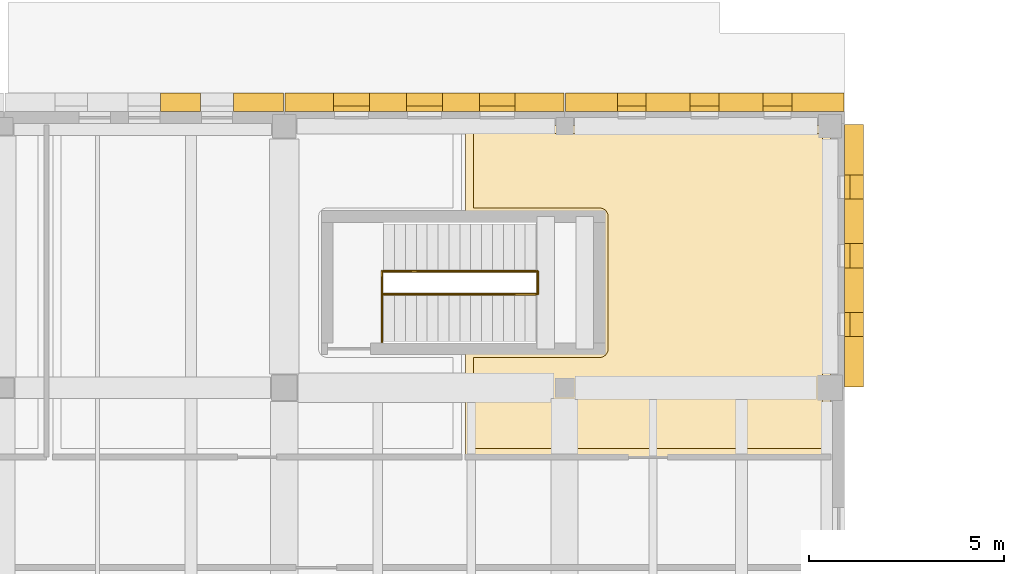
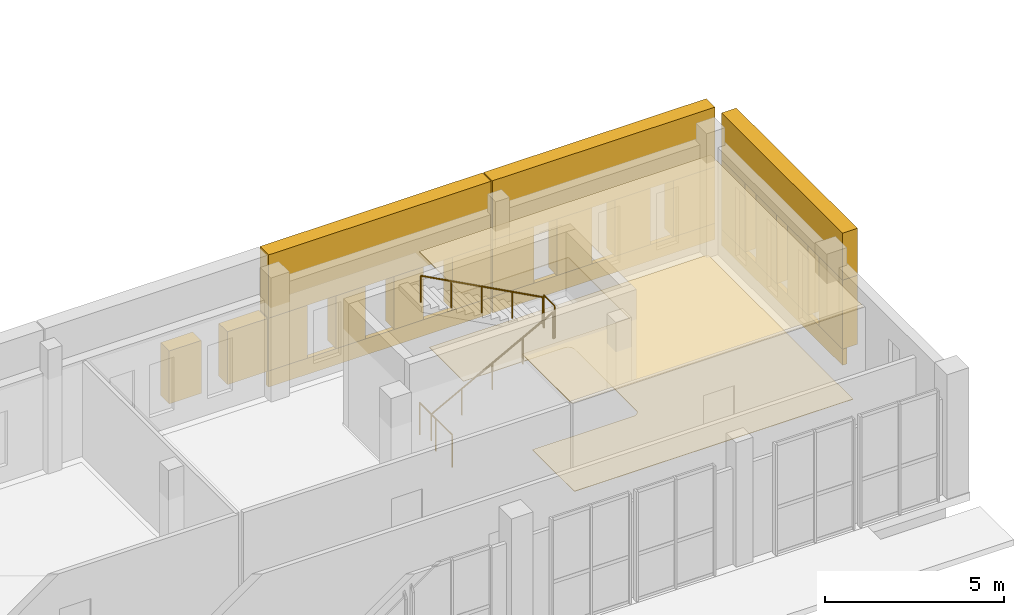
# One storey, part 73 of 77: 22 coverings, 4 railings.
"""IFC4 building model written with IfcOpenShell, lengths in metres."""

from ifc_helpers import new_model, si_unit, direction, frame, origin, origin_2d, place, context, subcontext, project, spatial, polyline, circle, outline, extrude, material, layer, layer_set, type_object, element, save


model = new_model("IFC4")

# Units and contexts
model_context = context("Model", 3, precision=1e-05, world=origin(), true_north=direction((0.0, 1.0)))
body_context = subcontext(model_context, "Body", "Model", "MODEL_VIEW")
ifc_project = project(units=[si_unit("LENGTHUNIT", "METRE"), si_unit("AREAUNIT", "SQUARE_METRE"), si_unit("VOLUMEUNIT", "CUBIC_METRE"), si_unit("PLANEANGLEUNIT", "RADIAN"), si_unit("MASSUNIT", "GRAM", prefix="KILO")], contexts=[model_context])

# Site, building, storey
site_placement = place(None, origin())
site = spatial("IfcSite", under=ifc_project, at=site_placement, CompositionType="ELEMENT")
building_placement = place(site_placement, origin())
building = spatial("IfcBuilding", under=site, at=building_placement, Name="Vardoun Plaza Health Centre", CompositionType="ELEMENT")
storey_placement = place(building_placement, origin())
storey = spatial("IfcBuildingStorey", under=building, at=storey_placement, Name="L00", CompositionType="ELEMENT", Elevation=0.0)

# Coverings
ifc_material_1 = material(Name="Hygienic Acoustic Mineral-Fibre Ceiling", Category="concrete")
ifc_layer_1 = layer(ifc_material_1, 0.02490234375)
ifc_layer_set_1 = layer_set([ifc_layer_1], Name="Hygienic Acoustic Mineral-Fibre Ceiling")
covering_type_1 = type_object("IfcCoveringType", Name="CL-01", PredefinedType="CEILING", material=ifc_layer_set_1)
covering_1_placement = place(storey_placement, frame((0.0, 0.0, 3.195068359375)))
element("IfcCovering", 1, at=covering_1_placement, inside=storey, type_object=covering_type_1, Name="Lactation and Baby Care Room Acoustic Ceiling", PredefinedType="CEILING", context=body_context, shape_type="SweptSolid", body=[
    extrude(outline(polyline([(47.340087890625, 106.429931640625), (37.949951171875, 106.429931640625), (37.949951171875, 109.18994140625), (41.39990234375, 109.18994140625), (41.40087890625, 109.18994140625), (41.402099609375, 109.190185546875), (41.40283203125, 109.1904296875), (41.40380859375, 109.19091796875), (41.40478515625, 109.191162109375), (41.405517578125, 109.191650390625), (41.40625, 109.1923828125), (41.406982421875, 109.19287109375), (41.40771484375, 109.193603515625), (41.408203125, 109.1943359375), (41.40869140625, 109.1953125), (41.4091796875, 109.1962890625), (41.40966796875, 109.197021484375), (41.409912109375, 109.197998046875), (41.409912109375, 109.198974609375), (41.409912109375, 109.199951171875), (41.409912109375, 112.60009765625), (41.409912109375, 112.60107421875), (41.409912109375, 112.60205078125), (41.40966796875, 112.602783203125), (41.4091796875, 112.603759765625), (41.40869140625, 112.604736328125), (41.408203125, 112.605712890625), (41.40771484375, 112.606201171875), (41.406982421875, 112.607177734375), (41.40625, 112.607666015625), (41.405517578125, 112.6083984375), (41.40478515625, 112.60888671875), (41.40380859375, 112.609130859375), (41.40283203125, 112.609619140625), (41.402099609375, 112.60986328125), (41.40087890625, 112.610107421875), (41.39990234375, 112.610107421875), (37.949951171875, 112.610107421875), (37.949951171875, 114.93994140625), (47.340087890625, 114.93994140625), (47.340087890625, 106.429931640625)])), origin(), (0.0, 0.0, 1.0), 0.02490234375),
])
ifc_material_2 = material(Name="Pale Limestone Concrete C35/45", Category="masonry")
ifc_layer_2 = layer(ifc_material_2, 0.080078125)
ifc_layer_set_2 = layer_set([ifc_layer_2], Name="Pale Limestone Concrete C35/45")
covering_type_2 = type_object("IfcCoveringType", Name="CL-EXT1", PredefinedType="CLADDING", material=ifc_layer_set_2)
covering_2_placement = place(storey_placement, frame((0.0, 0.0, 0.550048828125)))
element("IfcCovering", 2, at=covering_2_placement, inside=storey, type_object=covering_type_2, Name="V3 L00 Deep-Punched Slot Concrete Reveal Pier 718", PredefinedType="CLADDING", context=body_context, shape_type="SweptSolid", body=[
    extrude(outline(polyline([(30.1201171875, 115.300048828125), (31.152099609375, 115.300048828125), (31.152099609375, 115.780029296875), (30.1201171875, 115.780029296875), (30.1201171875, 115.300048828125)])), origin(), (0.0, 0.0, 1.0), 1.800048828125),
])
covering_3_placement = place(storey_placement, frame((0.0, 0.0, 0.550048828125)))
element("IfcCovering", 3, at=covering_3_placement, inside=storey, type_object=covering_type_2, Name="V3 L00 Deep-Punched Slot Concrete Reveal Pier 719", PredefinedType="CLADDING", context=body_context, shape_type="SweptSolid", body=[
    extrude(outline(polyline([(31.991943359375, 115.300048828125), (33.280029296875, 115.300048828125), (33.280029296875, 115.780029296875), (31.991943359375, 115.780029296875), (31.991943359375, 115.300048828125)])), origin(), (0.0, 0.0, 1.0), 1.800048828125),
])
covering_4_placement = place(storey_placement, origin())
element("IfcCovering", 4, at=covering_4_placement, inside=storey, type_object=covering_type_2, Name="V3 L00 Pale Concrete Sill Band 720", PredefinedType="CLADDING", context=body_context, shape_type="SweptSolid", body=[
    extrude(outline(polyline([(33.320068359375, 115.300048828125), (40.47998046875, 115.300048828125), (40.47998046875, 115.43994140625), (33.320068359375, 115.43994140625), (33.320068359375, 115.300048828125)])), origin(), (0.0, 0.0, 1.0), 0.550048828125),
])
covering_5_placement = place(storey_placement, frame((0.0, 0.0, 2.35009765625)))
element("IfcCovering", 5, at=covering_5_placement, inside=storey, type_object=covering_type_2, Name="V3 L00 Sculpted Concrete Eyebrow Hood 721", PredefinedType="CLADDING", context=body_context, shape_type="SweptSolid", body=[
    extrude(outline(polyline([(33.320068359375, 115.300048828125), (40.47998046875, 115.300048828125), (40.47998046875, 115.780029296875), (33.320068359375, 115.780029296875), (33.320068359375, 115.300048828125)])), origin(), (0.0, 0.0, 1.0), 2.14990234375),
])
covering_6_placement = place(storey_placement, frame((0.0, 0.0, 0.550048828125)))
element("IfcCovering", 6, at=covering_6_placement, inside=storey, type_object=covering_type_2, Name="V3 L00 Deep-Punched Slot Concrete Reveal Pier 722", PredefinedType="CLADDING", context=body_context, shape_type="SweptSolid", body=[
    extrude(outline(polyline([(33.320068359375, 115.300048828125), (34.568115234375, 115.300048828125), (34.568115234375, 115.780029296875), (33.320068359375, 115.780029296875), (33.320068359375, 115.300048828125)])), origin(), (0.0, 0.0, 1.0), 1.800048828125),
])
covering_7_placement = place(storey_placement, frame((0.0, 0.0, 0.550048828125)))
element("IfcCovering", 7, at=covering_7_placement, inside=storey, type_object=covering_type_2, Name="V3 L00 Deep-Punched Slot Concrete Reveal Pier 723", PredefinedType="CLADDING", context=body_context, shape_type="SweptSolid", body=[
    extrude(outline(polyline([(35.488037109375, 115.300048828125), (36.43994140625, 115.300048828125), (36.43994140625, 115.780029296875), (35.488037109375, 115.780029296875), (35.488037109375, 115.300048828125)])), origin(), (0.0, 0.0, 1.0), 1.800048828125),
])
covering_8_placement = place(storey_placement, frame((0.0, 0.0, 0.550048828125)))
element("IfcCovering", 8, at=covering_8_placement, inside=storey, type_object=covering_type_2, Name="V3 L00 Deep-Punched Slot Concrete Reveal Pier 724", PredefinedType="CLADDING", context=body_context, shape_type="SweptSolid", body=[
    extrude(outline(polyline([(37.360107421875, 115.300048828125), (38.31201171875, 115.300048828125), (38.31201171875, 115.780029296875), (37.360107421875, 115.780029296875), (37.360107421875, 115.300048828125)])), origin(), (0.0, 0.0, 1.0), 1.800048828125),
])
covering_9_placement = place(storey_placement, frame((0.0, 0.0, 0.550048828125)))
element("IfcCovering", 9, at=covering_9_placement, inside=storey, type_object=covering_type_2, Name="V3 L00 Deep-Punched Slot Concrete Reveal Pier 725", PredefinedType="CLADDING", context=body_context, shape_type="SweptSolid", body=[
    extrude(outline(polyline([(39.23193359375, 115.300048828125), (40.47998046875, 115.300048828125), (40.47998046875, 115.780029296875), (39.23193359375, 115.780029296875), (39.23193359375, 115.300048828125)])), origin(), (0.0, 0.0, 1.0), 1.800048828125),
])
covering_10_placement = place(storey_placement, origin())
element("IfcCovering", 10, at=covering_10_placement, inside=storey, type_object=covering_type_2, Name="V3 L00 Pale Concrete Sill Band 726", PredefinedType="CLADDING", context=body_context, shape_type="SweptSolid", body=[
    extrude(outline(polyline([(40.52001953125, 115.300048828125), (47.679931640625, 115.300048828125), (47.679931640625, 115.43994140625), (40.52001953125, 115.43994140625), (40.52001953125, 115.300048828125)])), origin(), (0.0, 0.0, 1.0), 0.550048828125),
])
covering_11_placement = place(storey_placement, frame((0.0, 0.0, 2.469970703125)))
element("IfcCovering", 11, at=covering_11_placement, inside=storey, type_object=covering_type_2, Name="V3 L00 Sculpted Concrete Eyebrow Hood 727", PredefinedType="CLADDING", context=body_context, shape_type="SweptSolid", body=[
    extrude(outline(polyline([(40.52001953125, 115.300048828125), (47.679931640625, 115.300048828125), (47.679931640625, 115.780029296875), (40.52001953125, 115.780029296875), (40.52001953125, 115.300048828125)])), origin(), (0.0, 0.0, 1.0), 2.030029296875),
])
covering_12_placement = place(storey_placement, frame((0.0, 0.0, 0.550048828125)))
element("IfcCovering", 12, at=covering_12_placement, inside=storey, type_object=covering_type_2, Name="V3 L00 Deep-Punched Slot Concrete Reveal Pier 728", PredefinedType="CLADDING", context=body_context, shape_type="SweptSolid", body=[
    extrude(outline(polyline([(40.52001953125, 115.300048828125), (41.85791015625, 115.300048828125), (41.85791015625, 115.780029296875), (40.52001953125, 115.780029296875), (40.52001953125, 115.300048828125)])), origin(), (0.0, 0.0, 1.0), 1.919921875),
])
covering_13_placement = place(storey_placement, frame((0.0, 0.0, 0.550048828125)))
element("IfcCovering", 13, at=covering_13_placement, inside=storey, type_object=covering_type_2, Name="V3 L00 Deep-Punched Slot Concrete Reveal Pier 729", PredefinedType="CLADDING", context=body_context, shape_type="SweptSolid", body=[
    extrude(outline(polyline([(42.597900390625, 115.300048828125), (43.72998046875, 115.300048828125), (43.72998046875, 115.780029296875), (42.597900390625, 115.780029296875), (42.597900390625, 115.300048828125)])), origin(), (0.0, 0.0, 1.0), 1.919921875),
])
covering_14_placement = place(storey_placement, frame((0.0, 0.0, 0.550048828125)))
element("IfcCovering", 14, at=covering_14_placement, inside=storey, type_object=covering_type_2, Name="V3 L00 Deep-Punched Slot Concrete Reveal Pier 730", PredefinedType="CLADDING", context=body_context, shape_type="SweptSolid", body=[
    extrude(outline(polyline([(44.469970703125, 115.300048828125), (45.60205078125, 115.300048828125), (45.60205078125, 115.780029296875), (44.469970703125, 115.780029296875), (44.469970703125, 115.300048828125)])), origin(), (0.0, 0.0, 1.0), 1.919921875),
])
covering_15_placement = place(storey_placement, frame((0.0, 0.0, 0.550048828125)))
element("IfcCovering", 15, at=covering_15_placement, inside=storey, type_object=covering_type_2, Name="V3 L00 Deep-Punched Slot Concrete Reveal Pier 731", PredefinedType="CLADDING", context=body_context, shape_type="SweptSolid", body=[
    extrude(outline(polyline([(46.342041015625, 115.300048828125), (47.679931640625, 115.300048828125), (47.679931640625, 115.780029296875), (46.342041015625, 115.780029296875), (46.342041015625, 115.300048828125)])), origin(), (0.0, 0.0, 1.0), 1.919921875),
])
covering_16_placement = place(storey_placement, origin())
element("IfcCovering", 16, at=covering_16_placement, inside=storey, type_object=covering_type_2, Name="V3 L00 Pale Concrete Sill Band 732", PredefinedType="CLADDING", context=body_context, shape_type="SweptSolid", body=[
    extrude(outline(polyline([(47.699951171875, 114.965087890625), (47.699951171875, 108.219970703125), (47.840087890625, 108.219970703125), (47.840087890625, 114.965087890625), (47.699951171875, 114.965087890625)])), origin(), (0.0, 0.0, 1.0), 0.550048828125),
])
covering_17_placement = place(storey_placement, frame((0.0, 0.0, 2.89990234375)))
element("IfcCovering", 17, at=covering_17_placement, inside=storey, type_object=covering_type_2, Name="V3 L00 Sculpted Concrete Eyebrow Hood 733", PredefinedType="CLADDING", context=body_context, shape_type="SweptSolid", body=[
    extrude(outline(polyline([(47.699951171875, 114.965087890625), (47.699951171875, 108.219970703125), (48.179931640625, 108.219970703125), (48.179931640625, 114.965087890625), (47.699951171875, 114.965087890625)])), origin(), (0.0, 0.0, 1.0), 1.60009765625),
])
covering_18_placement = place(storey_placement, frame((0.0, 0.0, 0.550048828125)))
element("IfcCovering", 18, at=covering_18_placement, inside=storey, type_object=covering_type_2, Name="V3 L00 Deep-Punched Slot Concrete Reveal Pier 734", PredefinedType="CLADDING", context=body_context, shape_type="SweptSolid", body=[
    extrude(outline(polyline([(47.699951171875, 114.965087890625), (47.699951171875, 113.66650390625), (48.179931640625, 113.66650390625), (48.179931640625, 114.965087890625), (47.699951171875, 114.965087890625)])), origin(), (0.0, 0.0, 1.0), 2.349853515625),
])
covering_19_placement = place(storey_placement, frame((0.0, 0.0, 0.550048828125)))
element("IfcCovering", 19, at=covering_19_placement, inside=storey, type_object=covering_type_2, Name="V3 L00 Deep-Punched Slot Concrete Reveal Pier 735", PredefinedType="CLADDING", context=body_context, shape_type="SweptSolid", body=[
    extrude(outline(polyline([(47.699951171875, 113.046630859375), (47.699951171875, 111.902587890625), (48.179931640625, 111.902587890625), (48.179931640625, 113.046630859375), (47.699951171875, 113.046630859375)])), origin(), (0.0, 0.0, 1.0), 2.349853515625),
])
covering_20_placement = place(storey_placement, frame((0.0, 0.0, 0.550048828125)))
element("IfcCovering", 20, at=covering_20_placement, inside=storey, type_object=covering_type_2, Name="V3 L00 Deep-Punched Slot Concrete Reveal Pier 736", PredefinedType="CLADDING", context=body_context, shape_type="SweptSolid", body=[
    extrude(outline(polyline([(47.699951171875, 111.282470703125), (47.699951171875, 110.138427734375), (48.179931640625, 110.138427734375), (48.179931640625, 111.282470703125), (47.699951171875, 111.282470703125)])), origin(), (0.0, 0.0, 1.0), 2.349853515625),
])
covering_21_placement = place(storey_placement, frame((0.0, 0.0, 0.550048828125)))
element("IfcCovering", 21, at=covering_21_placement, inside=storey, type_object=covering_type_2, Name="V3 L00 Deep-Punched Slot Concrete Reveal Pier 737", PredefinedType="CLADDING", context=body_context, shape_type="SweptSolid", body=[
    extrude(outline(polyline([(47.699951171875, 109.518310546875), (47.699951171875, 108.219970703125), (48.179931640625, 108.219970703125), (48.179931640625, 109.518310546875), (47.699951171875, 109.518310546875)])), origin(), (0.0, 0.0, 1.0), 2.349853515625),
])
ifc_material_3 = material(Name="Seamless Conductive Clinical Vinyl Flooring", Category="concrete")
ifc_layer_3 = layer(ifc_material_3, 0.014892578125)
ifc_layer_set_3 = layer_set([ifc_layer_3], Name="Seamless Conductive Clinical Vinyl Flooring")
covering_type_3 = type_object("IfcCoveringType", Name="FL-01", PredefinedType="FLOORING", material=ifc_layer_set_3)
covering_22_placement = place(storey_placement, origin())
element("IfcCovering", 22, at=covering_22_placement, inside=storey, type_object=covering_type_3, Name="Lactation and Baby Care Room Floor Finish", PredefinedType="FLOORING", context=body_context, shape_type="SweptSolid", body=[
    extrude(outline(polyline([(47.1298828125, 106.639892578125), (38.159912109375, 106.639892578125), (38.159912109375, 108.97998046875), (41.39990234375, 108.97998046875), (41.421630859375, 108.981201171875), (41.44287109375, 108.984130859375), (41.4638671875, 108.989501953125), (41.484130859375, 108.99658203125), (41.503662109375, 109.006103515625), (41.522216796875, 109.01708984375), (41.53955078125, 109.02978515625), (41.5556640625, 109.04443359375), (41.570068359375, 109.060302734375), (41.5830078125, 109.077880859375), (41.593994140625, 109.09619140625), (41.603271484375, 109.11572265625), (41.610595703125, 109.135986328125), (41.61572265625, 109.156982421875), (41.618896484375, 109.178466796875), (41.6201171875, 109.199951171875), (41.6201171875, 112.60009765625), (41.618896484375, 112.62158203125), (41.61572265625, 112.642822265625), (41.610595703125, 112.663818359375), (41.603271484375, 112.68408203125), (41.593994140625, 112.70361328125), (41.5830078125, 112.72216796875), (41.570068359375, 112.739501953125), (41.5556640625, 112.755615234375), (41.53955078125, 112.77001953125), (41.522216796875, 112.782958984375), (41.503662109375, 112.7939453125), (41.484130859375, 112.80322265625), (41.4638671875, 112.810546875), (41.44287109375, 112.81591796875), (41.421630859375, 112.81884765625), (41.39990234375, 112.820068359375), (38.159912109375, 112.820068359375), (38.159912109375, 114.72998046875), (47.1298828125, 114.72998046875), (47.1298828125, 106.639892578125)])), origin(), (0.0, 0.0, 1.0), 0.014892578125),
])

# Railings
ifc_material_4 = material(Name="Painted Steel S275JR Stair-Well Guardrail", Category="steel")
railing_type_1 = type_object("IfcRailingType", Name="GR-04", PredefinedType="GUARDRAIL", material=ifc_material_4)
railing_1_placement = place(storey_placement, frame((35.81005859375, 109.3798828125, 0.0)))
element("IfcRailing", 23, at=railing_1_placement, inside=storey, type_object=railing_type_1, Name="Stair ST-C4-B1 Upper Landing Well Guard", PredefinedType="GUARDRAIL", context=body_context, shape_type="SweptSolid", body=[
    extrude(circle(Radius=0.02392578125, at=origin_2d()), frame((0.0, 0.0, 1.09619140625), z_axis=(0.0, 1.0, 0.0), x_axis=(-1.0, 0.0, 0.0)), (0.0, 0.0, 1.0), 1.815185546875),
    extrude(circle(Radius=0.02099609375, at=origin_2d()), origin(), (0.0, 0.0, 1.0), 1.072021484375),
    extrude(circle(Radius=0.02099609375, at=origin_2d()), frame((0.0, 0.90771484375, 0.0)), (0.0, 0.0, 1.0), 1.072021484375),
    extrude(circle(Radius=0.02099609375, at=origin_2d()), frame((0.0, 1.815185546875, 0.0)), (0.0, 0.0, 1.0), 1.072021484375),
])
railing_2_placement = place(storey_placement, frame((39.81005859375, 110.60498046875, 2.25)))
element("IfcRailing", 24, at=railing_2_placement, inside=storey, type_object=railing_type_1, Name="Stair ST-C4-L00 Mid-Landing Well Guard", PredefinedType="GUARDRAIL", context=body_context, shape_type="SweptSolid", body=[
    extrude(circle(Radius=0.02392578125, at=origin_2d()), frame((0.0, 0.0, 1.09619140625), z_axis=(0.0, 1.0, 0.0), x_axis=(-1.0, 0.0, 0.0)), (0.0, 0.0, 1.0), 0.590087890625),
    extrude(circle(Radius=0.02099609375, at=origin_2d()), origin(), (0.0, 0.0, 1.0), 1.072021484375),
    extrude(circle(Radius=0.02099609375, at=origin_2d()), frame((0.0, 0.590087890625, 0.0)), (0.0, 0.0, 1.0), 1.072021484375),
])
ifc_material_5 = material(Name="Brushed Stainless Steel Grade 316L", Category="steel")
railing_type_2 = type_object("IfcRailingType", Name="HR-01", PredefinedType="HANDRAIL", material=ifc_material_5)
railing_3_placement = place(storey_placement, frame((35.85009765625, 110.60498046875, 0.14990234375)))
element("IfcRailing", 25, at=railing_3_placement, inside=storey, type_object=railing_type_2, Name="Stair ST-C4-L00 Flight 1 Handrail", PredefinedType="HANDRAIL", context=body_context, shape_type="SweptSolid", body=[
    extrude(circle(Radius=0.02392578125, at=origin_2d()), frame((0.0, 0.0, 0.89599609375), z_axis=(0.881466911329, 0.0, 0.472245787945), x_axis=(0.0, 1.0, 0.0)), (0.0, 0.0, 1.0), 4.447021484375),
    extrude(circle(Radius=0.02099609375, at=origin_2d()), origin(), (0.0, 0.0, 1.0), 0.871826171875),
    extrude(circle(Radius=0.02099609375, at=origin_2d()), frame((0.97998046875, 0.0, 0.52490234375)), (0.0, 0.0, 1.0), 0.871826171875),
    extrude(circle(Radius=0.02099609375, at=origin_2d()), frame((1.9599609375, 0.0, 1.050048828125)), (0.0, 0.0, 1.0), 0.871826171875),
    extrude(circle(Radius=0.02099609375, at=origin_2d()), frame((2.93994140625, 0.0, 1.5751953125)), (0.0, 0.0, 1.0), 0.871826171875),
    extrude(circle(Radius=0.02099609375, at=origin_2d()), frame((3.919921875, 0.0, 2.10009765625)), (0.0, 0.0, 1.0), 0.871826171875),
])
railing_4_placement = place(storey_placement, frame((39.77001953125, 111.195068359375, 2.39990234375)))
element("IfcRailing", 26, at=railing_4_placement, inside=storey, type_object=railing_type_2, Name="Stair ST-C4-L00 Flight 2 Handrail", PredefinedType="HANDRAIL", context=body_context, shape_type="SweptSolid", body=[
    extrude(circle(Radius=0.02392578125, at=origin_2d()), frame((0.0, 0.0, 0.89599609375), z_axis=(-0.881466911329, 0.0, 0.472245787945), x_axis=(0.0, -1.0, 0.0)), (0.0, 0.0, 1.0), 4.447021484375),
    extrude(circle(Radius=0.02099609375, at=origin_2d()), origin(), (0.0, 0.0, 1.0), 0.871826171875),
    extrude(circle(Radius=0.02099609375, at=origin_2d()), frame((-0.97998046875, 0.0, 0.52490234375)), (0.0, 0.0, 1.0), 0.871826171875),
    extrude(circle(Radius=0.02099609375, at=origin_2d()), frame((-1.9599609375, 0.0, 1.050048828125)), (0.0, 0.0, 1.0), 0.871826171875),
    extrude(circle(Radius=0.02099609375, at=origin_2d()), frame((-2.93994140625, 0.0, 1.5751953125)), (0.0, 0.0, 1.0), 0.871826171875),
    extrude(circle(Radius=0.02099609375, at=origin_2d()), frame((-3.919921875, 0.0, 2.10009765625)), (0.0, 0.0, 1.0), 0.871826171875),
])

save(model, "model.ifc")
